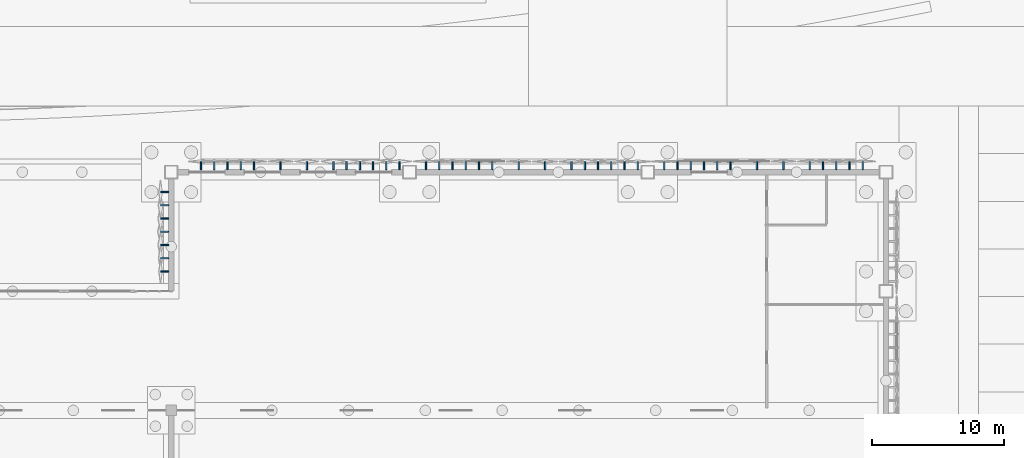
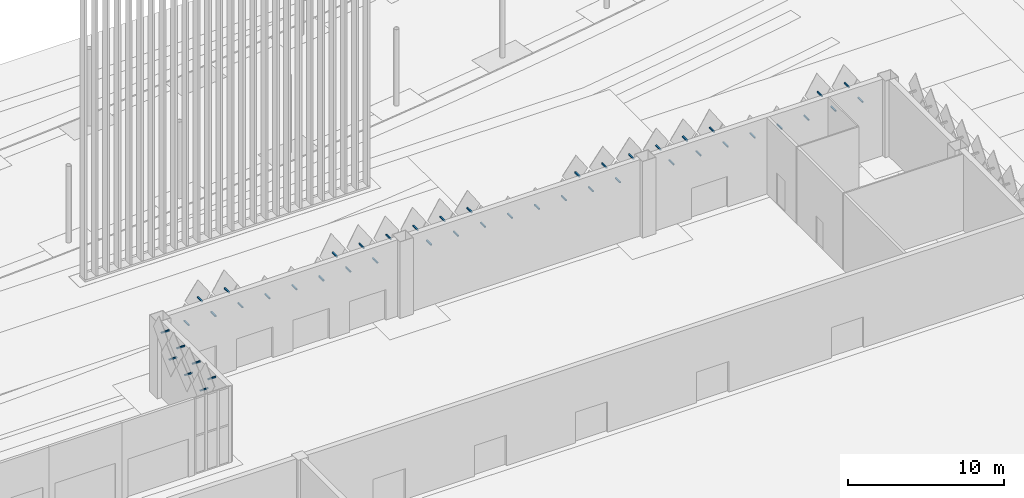
# One storey, part 123 of 198: 47 discrete accessories.
"""IFC4 building model written with IfcOpenShell, lengths in metres."""

from ifc_helpers import new_model, si_unit, direction, frame, origin, place, context, subcontext, project, spatial, polyline, outline, extrude, material, type_object, element, save


model = new_model("IFC4")

# Units and contexts
model_context = context("Model", 3, precision=1e-05, world=origin(), true_north=direction((0.0, 1.0)))
body_context = subcontext(model_context, "Body", "Model", "MODEL_VIEW")
ifc_project = project(units=[si_unit("LENGTHUNIT", "METRE"), si_unit("AREAUNIT", "SQUARE_METRE"), si_unit("VOLUMEUNIT", "CUBIC_METRE"), si_unit("PLANEANGLEUNIT", "RADIAN"), si_unit("MASSUNIT", "GRAM", prefix="KILO")], contexts=[model_context])

# Site, building, storey
site_placement = place(None, origin())
site = spatial("IfcSite", under=ifc_project, at=site_placement, CompositionType="ELEMENT")
building_placement = place(site_placement, origin())
building = spatial("IfcBuilding", under=site, at=building_placement, Name="Opaline Strait Convention Centre", CompositionType="ELEMENT")
storey_placement = place(building_placement, origin())
storey = spatial("IfcBuildingStorey", under=building, at=storey_placement, Name="L00", CompositionType="ELEMENT", Elevation=0.0)

# Discrete accessories
ifc_material = material(Name="Steel Q355B", Category="steel")
discrete_accessory_type = type_object("IfcDiscreteAccessoryType", Name="Tile bracket 100x100 steel", PredefinedType="BRACKET", material=ifc_material)
discrete_accessory_1_placement = place(storey_placement, frame((259.300048828125, 153.199951171875, 4.39208984375), z_axis=(-1.0, 0.0, 0.0), x_axis=(0.0, -1.0, 0.0)))
element("IfcDiscreteAccessory", 1, at=discrete_accessory_1_placement, inside=storey, type_object=discrete_accessory_type, Name="Tile bracket XT06 N", PredefinedType="BRACKET", context=body_context, shape_type="SweptSolid", body=[
    extrude(outline(polyline([(0.0, -0.050048828125), (0.0, 0.050048828125), (-0.6025390625, 0.050048828125), (-0.597412109375, -0.050048828125), (0.0, -0.050048828125)])), origin(), (0.0, 0.0, 1.0), 0.10009765625),
])
discrete_accessory_2_placement = place(storey_placement, frame((257.300048828125, 153.199951171875, 4.39208984375), z_axis=(-1.0, 0.0, 0.0), x_axis=(0.0, -1.0, 0.0)))
element("IfcDiscreteAccessory", 2, at=discrete_accessory_2_placement, inside=storey, type_object=discrete_accessory_type, Name="Tile bracket XT07 N", PredefinedType="BRACKET", context=body_context, shape_type="SweptSolid", body=[
    extrude(outline(polyline([(0.0, -0.050048828125), (0.0, 0.050048828125), (-0.60302734375, 0.050048828125), (-0.596923828125, -0.050048828125), (0.0, -0.050048828125)])), origin(), (0.0, 0.0, 1.0), 0.10009765625),
])
for number, where, z_axis, x_axis, name in (
    (3, (255.300048828125, 153.199951171875, 4.39208984375), (-1.0, 0.0, 0.0), (0.0, -1.0, 0.0), "Tile bracket XT06 N"),
    (4, (253.300048828125, 153.199951171875, 4.39208984375), (-1.0, 0.0, 0.0), (0.0, -1.0, 0.0), "Tile bracket XT06 N"),
):
    element("IfcDiscreteAccessory", number, at=place(storey_placement, frame(where, z_axis=z_axis, x_axis=x_axis)), inside=storey, type_object=discrete_accessory_type, Name=name, PredefinedType="BRACKET", context=body_context, shape_type="SweptSolid", body=[
        extrude(outline(polyline([(0.0, -0.050048828125), (0.0, 0.050048828125), (-0.6025390625, 0.050048828125), (-0.597412109375, -0.050048828125), (0.0, -0.050048828125)])), origin(), (0.0, 0.0, 1.0), 0.10009765625),
    ])
for number, where, z_axis, x_axis, name in (
    (5, (251.300048828125, 153.199951171875, 4.39208984375), (-1.0, 0.0, 0.0), (0.0, -1.0, 0.0), "Tile bracket XT03 N"),
    (6, (249.300048828125, 153.199951171875, 4.39208984375), (-1.0, 0.0, 0.0), (0.0, -1.0, 0.0), "Tile bracket XT03 N"),
):
    element("IfcDiscreteAccessory", number, at=place(storey_placement, frame(where, z_axis=z_axis, x_axis=x_axis)), inside=storey, type_object=discrete_accessory_type, Name=name, PredefinedType="BRACKET", context=body_context, shape_type="SweptSolid", body=[
        extrude(outline(polyline([(0.0, -0.050048828125), (0.0, 0.050048828125), (-0.601318359375, 0.050048828125), (-0.5986328125, -0.050048828125), (0.0, -0.050048828125)])), origin(), (0.0, 0.0, 1.0), 0.10009765625),
    ])
discrete_accessory_3_placement = place(storey_placement, frame((247.300048828125, 153.199951171875, 4.39208984375), z_axis=(-1.0, 0.0, 0.0), x_axis=(0.0, -1.0, 0.0)))
element("IfcDiscreteAccessory", 7, at=discrete_accessory_3_placement, inside=storey, type_object=discrete_accessory_type, Name="Tile bracket XT03 N", PredefinedType="BRACKET", context=body_context, shape_type="SweptSolid", body=[
    extrude(outline(polyline([(0.0, -0.050048828125), (0.0, 0.050048828125), (-0.5986328125, 0.050048828125), (-0.601318359375, -0.050048828125), (0.0, -0.050048828125)])), origin(), (0.0, 0.0, 1.0), 0.10009765625),
])
discrete_accessory_4_placement = place(storey_placement, frame((245.300048828125, 153.199951171875, 4.39208984375), z_axis=(-1.0, 0.0, 0.0), x_axis=(0.0, -1.0, 0.0)))
element("IfcDiscreteAccessory", 8, at=discrete_accessory_4_placement, inside=storey, type_object=discrete_accessory_type, Name="Tile bracket XT05 N", PredefinedType="BRACKET", context=body_context, shape_type="SweptSolid", body=[
    extrude(outline(polyline([(0.0, -0.050048828125), (0.0, 0.050048828125), (-0.597900390625, 0.050048828125), (-0.602294921875, -0.050048828125), (0.0, -0.050048828125)])), origin(), (0.0, 0.0, 1.0), 0.10009765625),
])
discrete_accessory_5_placement = place(storey_placement, frame((241.300048828125, 153.199951171875, 4.39208984375), z_axis=(-1.0, 0.0, 0.0), x_axis=(0.0, -1.0, 0.0)))
element("IfcDiscreteAccessory", 9, at=discrete_accessory_5_placement, inside=storey, type_object=discrete_accessory_type, Name="Tile bracket XT10 N", PredefinedType="BRACKET", context=body_context, shape_type="SweptSolid", body=[
    extrude(outline(polyline([(0.0, -0.050048828125), (0.0, 0.050048828125), (-0.595703125, 0.050048828125), (-0.604248046875, -0.050048828125), (0.0, -0.050048828125)])), origin(), (0.0, 0.0, 1.0), 0.10009765625),
])
discrete_accessory_6_placement = place(storey_placement, frame((239.300048828125, 153.199951171875, 4.39208984375), z_axis=(-1.0, 0.0, 0.0), x_axis=(0.0, -1.0, 0.0)))
element("IfcDiscreteAccessory", 10, at=discrete_accessory_6_placement, inside=storey, type_object=discrete_accessory_type, Name="Tile bracket XT11 N", PredefinedType="BRACKET", context=body_context, shape_type="SweptSolid", body=[
    extrude(outline(polyline([(0.0, -0.050048828125), (0.0, 0.050048828125), (-0.59521484375, 0.050048828125), (-0.604736328125, -0.050048828125), (0.0, -0.050048828125)])), origin(), (0.0, 0.0, 1.0), 0.10009765625),
])
discrete_accessory_7_placement = place(storey_placement, frame((237.300048828125, 153.199951171875, 4.39208984375), z_axis=(-1.0, 0.0, 0.0), x_axis=(0.0, -1.0, 0.0)))
element("IfcDiscreteAccessory", 11, at=discrete_accessory_7_placement, inside=storey, type_object=discrete_accessory_type, Name="Tile bracket XT10 N", PredefinedType="BRACKET", context=body_context, shape_type="SweptSolid", body=[
    extrude(outline(polyline([(0.0, -0.050048828125), (0.0, 0.050048828125), (-0.595703125, 0.050048828125), (-0.604248046875, -0.050048828125), (0.0, -0.050048828125)])), origin(), (0.0, 0.0, 1.0), 0.10009765625),
])
discrete_accessory_8_placement = place(storey_placement, frame((235.300048828125, 153.199951171875, 4.39208984375), z_axis=(-1.0, 0.0, 0.0), x_axis=(0.0, -1.0, 0.0)))
element("IfcDiscreteAccessory", 12, at=discrete_accessory_8_placement, inside=storey, type_object=discrete_accessory_type, Name="Tile bracket XT08 N", PredefinedType="BRACKET", context=body_context, shape_type="SweptSolid", body=[
    extrude(outline(polyline([(0.0, -0.050048828125), (0.0, 0.050048828125), (-0.596435546875, 0.050048828125), (-0.603515625, -0.050048828125), (0.0, -0.050048828125)])), origin(), (0.0, 0.0, 1.0), 0.10009765625),
])
discrete_accessory_9_placement = place(storey_placement, frame((233.300048828125, 153.199951171875, 4.39208984375), z_axis=(-1.0, 0.0, 0.0), x_axis=(0.0, -1.0, 0.0)))
element("IfcDiscreteAccessory", 13, at=discrete_accessory_9_placement, inside=storey, type_object=discrete_accessory_type, Name="Tile bracket XT05 N", PredefinedType="BRACKET", context=body_context, shape_type="SweptSolid", body=[
    extrude(outline(polyline([(0.0, -0.050048828125), (0.0, 0.050048828125), (-0.597900390625, 0.050048828125), (-0.602294921875, -0.050048828125), (0.0, -0.050048828125)])), origin(), (0.0, 0.0, 1.0), 0.10009765625),
])
discrete_accessory_10_placement = place(storey_placement, frame((231.300048828125, 153.199951171875, 4.39208984375), z_axis=(-1.0, 0.0, 0.0), x_axis=(0.0, -1.0, 0.0)))
element("IfcDiscreteAccessory", 14, at=discrete_accessory_10_placement, inside=storey, type_object=discrete_accessory_type, Name="Tile bracket XT04 N", PredefinedType="BRACKET", context=body_context, shape_type="SweptSolid", body=[
    extrude(outline(polyline([(0.0, -0.050048828125), (0.0, 0.050048828125), (-0.59814453125, 0.050048828125), (-0.601806640625, -0.050048828125), (0.0, -0.050048828125)])), origin(), (0.0, 0.0, 1.0), 0.10009765625),
])
discrete_accessory_11_placement = place(storey_placement, frame((229.300048828125, 153.199951171875, 4.39208984375), z_axis=(-1.0, 0.0, 0.0), x_axis=(0.0, -1.0, 0.0)))
element("IfcDiscreteAccessory", 15, at=discrete_accessory_11_placement, inside=storey, type_object=discrete_accessory_type, Name="Tile bracket XT04 N", PredefinedType="BRACKET", context=body_context, shape_type="SweptSolid", body=[
    extrude(outline(polyline([(0.0, -0.050048828125), (0.0, 0.050048828125), (-0.601806640625, 0.050048828125), (-0.59814453125, -0.050048828125), (0.0, -0.050048828125)])), origin(), (0.0, 0.0, 1.0), 0.10009765625),
])
discrete_accessory_12_placement = place(storey_placement, frame((227.300048828125, 153.199951171875, 4.39208984375), z_axis=(-1.0, 0.0, 0.0), x_axis=(0.0, -1.0, 0.0)))
element("IfcDiscreteAccessory", 16, at=discrete_accessory_12_placement, inside=storey, type_object=discrete_accessory_type, Name="Tile bracket XT07 N", PredefinedType="BRACKET", context=body_context, shape_type="SweptSolid", body=[
    extrude(outline(polyline([(0.0, -0.050048828125), (0.0, 0.050048828125), (-0.60302734375, 0.050048828125), (-0.596923828125, -0.050048828125), (0.0, -0.050048828125)])), origin(), (0.0, 0.0, 1.0), 0.10009765625),
])
discrete_accessory_13_placement = place(storey_placement, frame((223.300048828125, 153.199951171875, 4.39208984375), z_axis=(-1.0, 0.0, 0.0), x_axis=(0.0, -1.0, 0.0)))
element("IfcDiscreteAccessory", 17, at=discrete_accessory_13_placement, inside=storey, type_object=discrete_accessory_type, Name="Tile bracket XT13 N", PredefinedType="BRACKET", context=body_context, shape_type="SweptSolid", body=[
    extrude(outline(polyline([(0.0, -0.050048828125), (0.0, 0.050048828125), (-0.605712890625, 0.050048828125), (-0.59423828125, -0.050048828125), (0.0, -0.050048828125)])), origin(), (0.0, 0.0, 1.0), 0.10009765625),
])
discrete_accessory_14_placement = place(storey_placement, frame((221.300048828125, 153.199951171875, 4.39208984375), z_axis=(-1.0, 0.0, 0.0), x_axis=(0.0, -1.0, 0.0)))
element("IfcDiscreteAccessory", 18, at=discrete_accessory_14_placement, inside=storey, type_object=discrete_accessory_type, Name="Tile bracket XT14 N", PredefinedType="BRACKET", context=body_context, shape_type="SweptSolid", body=[
    extrude(outline(polyline([(0.0, -0.050048828125), (0.0, 0.050048828125), (-0.606201171875, 0.050048828125), (-0.59375, -0.050048828125), (0.0, -0.050048828125)])), origin(), (0.0, 0.0, 1.0), 0.10009765625),
])
discrete_accessory_15_placement = place(storey_placement, frame((219.300048828125, 153.199951171875, 4.39208984375), z_axis=(-1.0, 0.0, 0.0), x_axis=(0.0, -1.0, 0.0)))
element("IfcDiscreteAccessory", 19, at=discrete_accessory_15_placement, inside=storey, type_object=discrete_accessory_type, Name="Tile bracket XT13 N", PredefinedType="BRACKET", context=body_context, shape_type="SweptSolid", body=[
    extrude(outline(polyline([(0.0, -0.050048828125), (0.0, 0.050048828125), (-0.605712890625, 0.050048828125), (-0.59423828125, -0.050048828125), (0.0, -0.050048828125)])), origin(), (0.0, 0.0, 1.0), 0.10009765625),
])
discrete_accessory_16_placement = place(storey_placement, frame((217.300048828125, 153.199951171875, 4.39208984375), z_axis=(-1.0, 0.0, 0.0), x_axis=(0.0, -1.0, 0.0)))
element("IfcDiscreteAccessory", 20, at=discrete_accessory_16_placement, inside=storey, type_object=discrete_accessory_type, Name="Tile bracket XT10 N", PredefinedType="BRACKET", context=body_context, shape_type="SweptSolid", body=[
    extrude(outline(polyline([(0.0, -0.050048828125), (0.0, 0.050048828125), (-0.604248046875, 0.050048828125), (-0.595703125, -0.050048828125), (0.0, -0.050048828125)])), origin(), (0.0, 0.0, 1.0), 0.10009765625),
])
discrete_accessory_17_placement = place(storey_placement, frame((215.300048828125, 153.199951171875, 4.39208984375), z_axis=(-1.0, 0.0, 0.0), x_axis=(0.0, -1.0, 0.0)))
element("IfcDiscreteAccessory", 21, at=discrete_accessory_17_placement, inside=storey, type_object=discrete_accessory_type, Name="Tile bracket XT06 N", PredefinedType="BRACKET", context=body_context, shape_type="SweptSolid", body=[
    extrude(outline(polyline([(0.0, -0.050048828125), (0.0, 0.050048828125), (-0.6025390625, 0.050048828125), (-0.597412109375, -0.050048828125), (0.0, -0.050048828125)])), origin(), (0.0, 0.0, 1.0), 0.10009765625),
])
discrete_accessory_18_placement = place(storey_placement, frame((213.300048828125, 153.199951171875, 4.39208984375), z_axis=(-1.0, 0.0, 0.0), x_axis=(0.0, -1.0, 0.0)))
element("IfcDiscreteAccessory", 22, at=discrete_accessory_18_placement, inside=storey, type_object=discrete_accessory_type, Name="Tile bracket XT05 N", PredefinedType="BRACKET", context=body_context, shape_type="SweptSolid", body=[
    extrude(outline(polyline([(0.0, -0.050048828125), (0.0, 0.050048828125), (-0.602294921875, 0.050048828125), (-0.597900390625, -0.050048828125), (0.0, -0.050048828125)])), origin(), (0.0, 0.0, 1.0), 0.10009765625),
])
discrete_accessory_19_placement = place(storey_placement, frame((211.300048828125, 153.199951171875, 4.39208984375), z_axis=(-1.0, 0.0, 0.0), x_axis=(0.0, -1.0, 0.0)))
element("IfcDiscreteAccessory", 23, at=discrete_accessory_19_placement, inside=storey, type_object=discrete_accessory_type, Name="Tile bracket XT05 N", PredefinedType="BRACKET", context=body_context, shape_type="SweptSolid", body=[
    extrude(outline(polyline([(0.0, -0.050048828125), (0.0, 0.050048828125), (-0.597900390625, 0.050048828125), (-0.602294921875, -0.050048828125), (0.0, -0.050048828125)])), origin(), (0.0, 0.0, 1.0), 0.10009765625),
])
discrete_accessory_20_placement = place(storey_placement, frame((209.300048828125, 153.199951171875, 4.39208984375), z_axis=(-1.0, 0.0, 0.0), x_axis=(0.0, -1.0, 0.0)))
element("IfcDiscreteAccessory", 24, at=discrete_accessory_20_placement, inside=storey, type_object=discrete_accessory_type, Name="Tile bracket XT09 N", PredefinedType="BRACKET", context=body_context, shape_type="SweptSolid", body=[
    extrude(outline(polyline([(0.0, -0.050048828125), (0.0, 0.050048828125), (-0.595947265625, 0.050048828125), (-0.60400390625, -0.050048828125), (0.0, -0.050048828125)])), origin(), (0.0, 0.0, 1.0), 0.10009765625),
])
for number, where, z_axis, x_axis, name in (
    (25, (258.300048828125, 153.199951171875, 5.89208984375), (-1.0, 0.0, 0.0), (0.0, -1.0, 0.0), "Tile bracket XT07 N"),
    (26, (256.300048828125, 153.199951171875, 5.89208984375), (-1.0, 0.0, 0.0), (0.0, -1.0, 0.0), "Tile bracket XT07 N"),
):
    element("IfcDiscreteAccessory", number, at=place(storey_placement, frame(where, z_axis=z_axis, x_axis=x_axis)), inside=storey, type_object=discrete_accessory_type, Name=name, PredefinedType="BRACKET", context=body_context, shape_type="SweptSolid", body=[
        extrude(outline(polyline([(0.0, -0.050048828125), (0.0, 0.050048828125), (-0.60302734375, 0.050048828125), (-0.596923828125, -0.050048828125), (0.0, -0.050048828125)])), origin(), (0.0, 0.0, 1.0), 0.10009765625),
    ])
discrete_accessory_21_placement = place(storey_placement, frame((248.300048828125, 153.199951171875, 5.89208984375), z_axis=(-1.0, 0.0, 0.0), x_axis=(0.0, -1.0, 0.0)))
element("IfcDiscreteAccessory", 27, at=discrete_accessory_21_placement, inside=storey, type_object=discrete_accessory_type, Name="Tile bracket XT03 N", PredefinedType="BRACKET", context=body_context, shape_type="SweptSolid", body=[
    extrude(outline(polyline([(0.0, -0.050048828125), (0.0, 0.050048828125), (-0.601318359375, 0.050048828125), (-0.5986328125, -0.050048828125), (0.0, -0.050048828125)])), origin(), (0.0, 0.0, 1.0), 0.10009765625),
])
discrete_accessory_22_placement = place(storey_placement, frame((246.300048828125, 153.199951171875, 5.89208984375), z_axis=(-1.0, 0.0, 0.0), x_axis=(0.0, -1.0, 0.0)))
element("IfcDiscreteAccessory", 28, at=discrete_accessory_22_placement, inside=storey, type_object=discrete_accessory_type, Name="Tile bracket XT03 N", PredefinedType="BRACKET", context=body_context, shape_type="SweptSolid", body=[
    extrude(outline(polyline([(0.0, -0.050048828125), (0.0, 0.050048828125), (-0.5986328125, 0.050048828125), (-0.601318359375, -0.050048828125), (0.0, -0.050048828125)])), origin(), (0.0, 0.0, 1.0), 0.10009765625),
])
discrete_accessory_23_placement = place(storey_placement, frame((244.300048828125, 153.199951171875, 5.89208984375), z_axis=(-1.0, 0.0, 0.0), x_axis=(0.0, -1.0, 0.0)))
element("IfcDiscreteAccessory", 29, at=discrete_accessory_23_placement, inside=storey, type_object=discrete_accessory_type, Name="Tile bracket XT05 N", PredefinedType="BRACKET", context=body_context, shape_type="SweptSolid", body=[
    extrude(outline(polyline([(0.0, -0.050048828125), (0.0, 0.050048828125), (-0.597900390625, 0.050048828125), (-0.602294921875, -0.050048828125), (0.0, -0.050048828125)])), origin(), (0.0, 0.0, 1.0), 0.10009765625),
])
discrete_accessory_24_placement = place(storey_placement, frame((242.300048828125, 153.199951171875, 5.89208984375), z_axis=(-1.0, 0.0, 0.0), x_axis=(0.0, -1.0, 0.0)))
element("IfcDiscreteAccessory", 30, at=discrete_accessory_24_placement, inside=storey, type_object=discrete_accessory_type, Name="Tile bracket XT08 N", PredefinedType="BRACKET", context=body_context, shape_type="SweptSolid", body=[
    extrude(outline(polyline([(0.0, -0.050048828125), (0.0, 0.050048828125), (-0.596435546875, 0.050048828125), (-0.603515625, -0.050048828125), (0.0, -0.050048828125)])), origin(), (0.0, 0.0, 1.0), 0.10009765625),
])
discrete_accessory_25_placement = place(storey_placement, frame((240.300048828125, 153.199951171875, 5.89208984375), z_axis=(-1.0, 0.0, 0.0), x_axis=(0.0, -1.0, 0.0)))
element("IfcDiscreteAccessory", 31, at=discrete_accessory_25_placement, inside=storey, type_object=discrete_accessory_type, Name="Tile bracket XT10 N", PredefinedType="BRACKET", context=body_context, shape_type="SweptSolid", body=[
    extrude(outline(polyline([(0.0, -0.050048828125), (0.0, 0.050048828125), (-0.595703125, 0.050048828125), (-0.604248046875, -0.050048828125), (0.0, -0.050048828125)])), origin(), (0.0, 0.0, 1.0), 0.10009765625),
])
discrete_accessory_26_placement = place(storey_placement, frame((238.300048828125, 153.199951171875, 5.89208984375), z_axis=(-1.0, 0.0, 0.0), x_axis=(0.0, -1.0, 0.0)))
element("IfcDiscreteAccessory", 32, at=discrete_accessory_26_placement, inside=storey, type_object=discrete_accessory_type, Name="Tile bracket XT11 N", PredefinedType="BRACKET", context=body_context, shape_type="SweptSolid", body=[
    extrude(outline(polyline([(0.0, -0.050048828125), (0.0, 0.050048828125), (-0.59521484375, 0.050048828125), (-0.604736328125, -0.050048828125), (0.0, -0.050048828125)])), origin(), (0.0, 0.0, 1.0), 0.10009765625),
])
discrete_accessory_27_placement = place(storey_placement, frame((230.300048828125, 153.199951171875, 5.89208984375), z_axis=(-1.0, 0.0, 0.0), x_axis=(0.0, -1.0, 0.0)))
element("IfcDiscreteAccessory", 33, at=discrete_accessory_27_placement, inside=storey, type_object=discrete_accessory_type, Name="Tile bracket XT04 N", PredefinedType="BRACKET", context=body_context, shape_type="SweptSolid", body=[
    extrude(outline(polyline([(0.0, -0.050048828125), (0.0, 0.050048828125), (-0.59814453125, 0.050048828125), (-0.601806640625, -0.050048828125), (0.0, -0.050048828125)])), origin(), (0.0, 0.0, 1.0), 0.10009765625),
])
discrete_accessory_28_placement = place(storey_placement, frame((228.300048828125, 153.199951171875, 5.89208984375), z_axis=(-1.0, 0.0, 0.0), x_axis=(0.0, -1.0, 0.0)))
element("IfcDiscreteAccessory", 34, at=discrete_accessory_28_placement, inside=storey, type_object=discrete_accessory_type, Name="Tile bracket XT05 N", PredefinedType="BRACKET", context=body_context, shape_type="SweptSolid", body=[
    extrude(outline(polyline([(0.0, -0.050048828125), (0.0, 0.050048828125), (-0.602294921875, 0.050048828125), (-0.597900390625, -0.050048828125), (0.0, -0.050048828125)])), origin(), (0.0, 0.0, 1.0), 0.10009765625),
])
discrete_accessory_29_placement = place(storey_placement, frame((226.300048828125, 153.199951171875, 5.89208984375), z_axis=(-1.0, 0.0, 0.0), x_axis=(0.0, -1.0, 0.0)))
element("IfcDiscreteAccessory", 35, at=discrete_accessory_29_placement, inside=storey, type_object=discrete_accessory_type, Name="Tile bracket XT07 N", PredefinedType="BRACKET", context=body_context, shape_type="SweptSolid", body=[
    extrude(outline(polyline([(0.0, -0.050048828125), (0.0, 0.050048828125), (-0.60302734375, 0.050048828125), (-0.596923828125, -0.050048828125), (0.0, -0.050048828125)])), origin(), (0.0, 0.0, 1.0), 0.10009765625),
])
discrete_accessory_30_placement = place(storey_placement, frame((224.300048828125, 153.199951171875, 5.89208984375), z_axis=(-1.0, 0.0, 0.0), x_axis=(0.0, -1.0, 0.0)))
element("IfcDiscreteAccessory", 36, at=discrete_accessory_30_placement, inside=storey, type_object=discrete_accessory_type, Name="Tile bracket XT10 N", PredefinedType="BRACKET", context=body_context, shape_type="SweptSolid", body=[
    extrude(outline(polyline([(0.0, -0.050048828125), (0.0, 0.050048828125), (-0.604248046875, 0.050048828125), (-0.595703125, -0.050048828125), (0.0, -0.050048828125)])), origin(), (0.0, 0.0, 1.0), 0.10009765625),
])
discrete_accessory_31_placement = place(storey_placement, frame((222.300048828125, 153.199951171875, 5.89208984375), z_axis=(-1.0, 0.0, 0.0), x_axis=(0.0, -1.0, 0.0)))
element("IfcDiscreteAccessory", 37, at=discrete_accessory_31_placement, inside=storey, type_object=discrete_accessory_type, Name="Tile bracket XT13 N", PredefinedType="BRACKET", context=body_context, shape_type="SweptSolid", body=[
    extrude(outline(polyline([(0.0, -0.050048828125), (0.0, 0.050048828125), (-0.605712890625, 0.050048828125), (-0.59423828125, -0.050048828125), (0.0, -0.050048828125)])), origin(), (0.0, 0.0, 1.0), 0.10009765625),
])
discrete_accessory_32_placement = place(storey_placement, frame((220.300048828125, 153.199951171875, 5.89208984375), z_axis=(-1.0, 0.0, 0.0), x_axis=(0.0, -1.0, 0.0)))
element("IfcDiscreteAccessory", 38, at=discrete_accessory_32_placement, inside=storey, type_object=discrete_accessory_type, Name="Tile bracket XT14 N", PredefinedType="BRACKET", context=body_context, shape_type="SweptSolid", body=[
    extrude(outline(polyline([(0.0, -0.050048828125), (0.0, 0.050048828125), (-0.606201171875, 0.050048828125), (-0.59375, -0.050048828125), (0.0, -0.050048828125)])), origin(), (0.0, 0.0, 1.0), 0.10009765625),
])
discrete_accessory_33_placement = place(storey_placement, frame((212.300048828125, 153.199951171875, 5.89208984375), z_axis=(-1.0, 0.0, 0.0), x_axis=(0.0, -1.0, 0.0)))
element("IfcDiscreteAccessory", 39, at=discrete_accessory_33_placement, inside=storey, type_object=discrete_accessory_type, Name="Tile bracket XT05 N", PredefinedType="BRACKET", context=body_context, shape_type="SweptSolid", body=[
    extrude(outline(polyline([(0.0, -0.050048828125), (0.0, 0.050048828125), (-0.602294921875, 0.050048828125), (-0.597900390625, -0.050048828125), (0.0, -0.050048828125)])), origin(), (0.0, 0.0, 1.0), 0.10009765625),
])
discrete_accessory_34_placement = place(storey_placement, frame((210.300048828125, 153.199951171875, 5.89208984375), z_axis=(-1.0, 0.0, 0.0), x_axis=(0.0, -1.0, 0.0)))
element("IfcDiscreteAccessory", 40, at=discrete_accessory_34_placement, inside=storey, type_object=discrete_accessory_type, Name="Tile bracket XT05 N", PredefinedType="BRACKET", context=body_context, shape_type="SweptSolid", body=[
    extrude(outline(polyline([(0.0, -0.050048828125), (0.0, 0.050048828125), (-0.597900390625, 0.050048828125), (-0.602294921875, -0.050048828125), (0.0, -0.050048828125)])), origin(), (0.0, 0.0, 1.0), 0.10009765625),
])
discrete_accessory_35_placement = place(storey_placement, frame((206.800048828125, 150.550048828125, 4.39208984375), z_axis=(0.0, -1.0, 0.0), x_axis=(1.0, 0.0, 0.0)))
element("IfcDiscreteAccessory", 41, at=discrete_accessory_35_placement, inside=storey, type_object=discrete_accessory_type, Name="Tile bracket XT14 RE", PredefinedType="BRACKET", context=body_context, shape_type="SweptSolid", body=[
    extrude(outline(polyline([(0.0, -0.050048828125), (0.0, 0.050048828125), (-0.606201171875, 0.050048828125), (-0.59375, -0.050048828125), (0.0, -0.050048828125)])), origin(), (0.0, 0.0, 1.0), 0.10009765625),
])
discrete_accessory_36_placement = place(storey_placement, frame((206.800048828125, 148.550048828125, 4.39208984375), z_axis=(0.0, -1.0, 0.0), x_axis=(1.0, 0.0, 0.0)))
element("IfcDiscreteAccessory", 42, at=discrete_accessory_36_placement, inside=storey, type_object=discrete_accessory_type, Name="Tile bracket XT17 RE", PredefinedType="BRACKET", context=body_context, shape_type="SweptSolid", body=[
    extrude(outline(polyline([(0.0, -0.050048828125), (0.0, 0.050048828125), (-0.607421875, 0.050048828125), (-0.592529296875, -0.050048828125), (0.0, -0.050048828125)])), origin(), (0.0, 0.0, 1.0), 0.10009765625),
])
discrete_accessory_37_placement = place(storey_placement, frame((206.800048828125, 146.550048828125, 4.39208984375), z_axis=(0.0, -1.0, 0.0), x_axis=(1.0, 0.0, 0.0)))
element("IfcDiscreteAccessory", 43, at=discrete_accessory_37_placement, inside=storey, type_object=discrete_accessory_type, Name="Tile bracket XT12 RE", PredefinedType="BRACKET", context=body_context, shape_type="SweptSolid", body=[
    extrude(outline(polyline([(0.0, -0.050048828125), (0.0, 0.050048828125), (-0.605224609375, 0.050048828125), (-0.5947265625, -0.050048828125), (0.0, -0.050048828125)])), origin(), (0.0, 0.0, 1.0), 0.10009765625),
])
discrete_accessory_38_placement = place(storey_placement, frame((206.800048828125, 151.550048828125, 5.89208984375), z_axis=(0.0, -1.0, 0.0), x_axis=(1.0, 0.0, 0.0)))
element("IfcDiscreteAccessory", 44, at=discrete_accessory_38_placement, inside=storey, type_object=discrete_accessory_type, Name="Tile bracket XT10 RE", PredefinedType="BRACKET", context=body_context, shape_type="SweptSolid", body=[
    extrude(outline(polyline([(0.0, -0.050048828125), (0.0, 0.050048828125), (-0.604248046875, 0.050048828125), (-0.595703125, -0.050048828125), (0.0, -0.050048828125)])), origin(), (0.0, 0.0, 1.0), 0.10009765625),
])
for number, where, z_axis, x_axis, name in (
    (45, (206.800048828125, 149.550048828125, 5.89208984375), (0.0, -1.0, 0.0), (1.0, 0.0, 0.0), "Tile bracket XT16 RE"),
    (46, (206.800048828125, 147.550048828125, 5.89208984375), (0.0, -1.0, 0.0), (1.0, 0.0, 0.0), "Tile bracket XT16 RE"),
):
    element("IfcDiscreteAccessory", number, at=place(storey_placement, frame(where, z_axis=z_axis, x_axis=x_axis)), inside=storey, type_object=discrete_accessory_type, Name=name, PredefinedType="BRACKET", context=body_context, shape_type="SweptSolid", body=[
        extrude(outline(polyline([(0.0, -0.050048828125), (0.0, 0.050048828125), (-0.60693359375, 0.050048828125), (-0.593017578125, -0.050048828125), (0.0, -0.050048828125)])), origin(), (0.0, 0.0, 1.0), 0.10009765625),
    ])
discrete_accessory_39_placement = place(storey_placement, frame((206.800048828125, 145.550048828125, 5.89208984375), z_axis=(0.0, -1.0, 0.0), x_axis=(1.0, 0.0, 0.0)))
element("IfcDiscreteAccessory", 47, at=discrete_accessory_39_placement, inside=storey, type_object=discrete_accessory_type, Name="Tile bracket XT10 RE", PredefinedType="BRACKET", context=body_context, shape_type="SweptSolid", body=[
    extrude(outline(polyline([(0.0, -0.050048828125), (0.0, 0.050048828125), (-0.604248046875, 0.050048828125), (-0.595703125, -0.050048828125), (0.0, -0.050048828125)])), origin(), (0.0, 0.0, 1.0), 0.10009765625),
])

save(model, "model.ifc")
